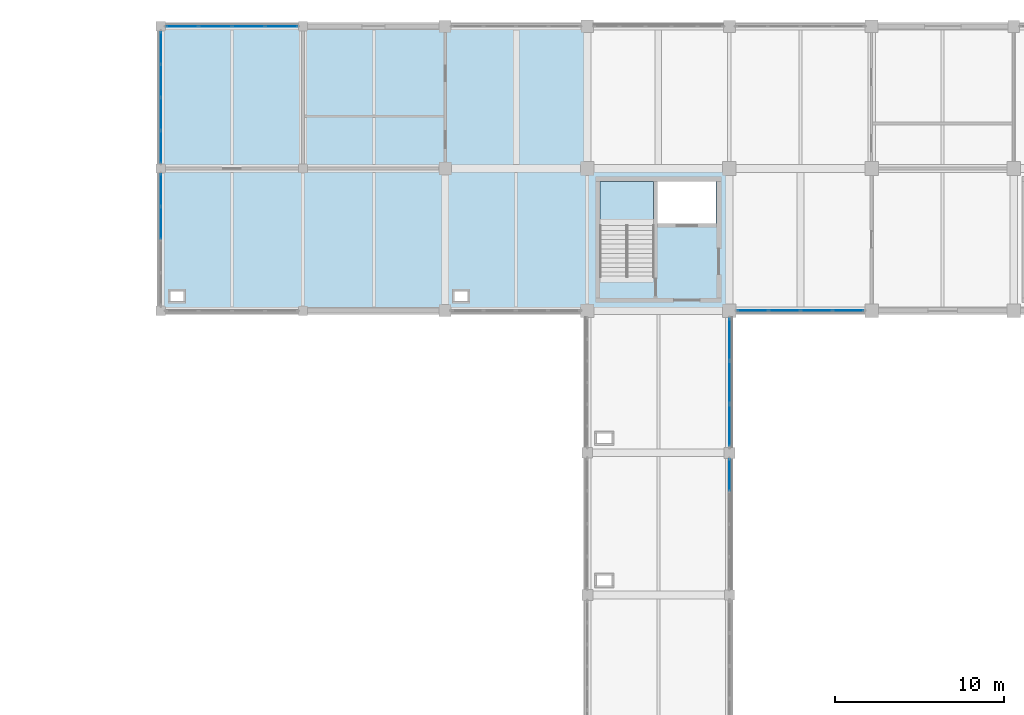
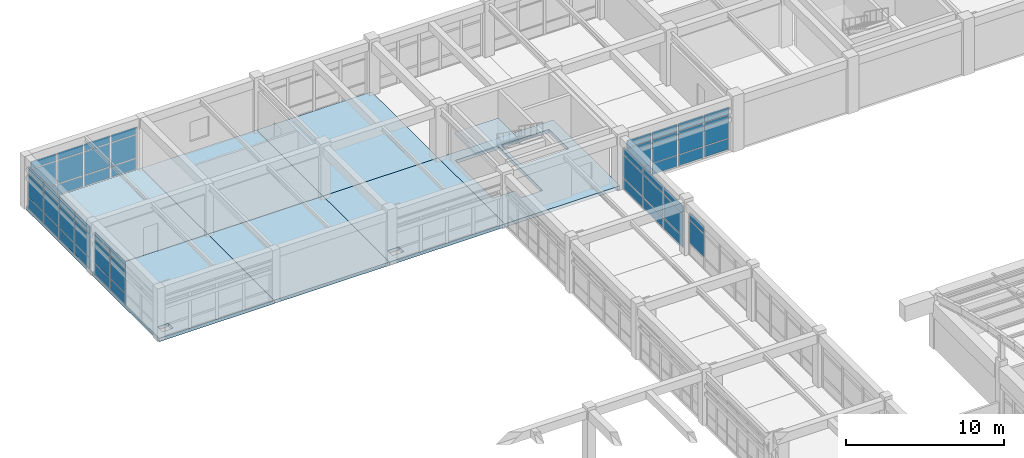
# One storey, part 53 of 74: 53 plates, 8 slabs, 7 elements without a shape of their own.
"""IFC4 building model written with IfcOpenShell, lengths in metres."""

from ifc_helpers import new_model, si_unit, direction, frame, origin, origin_2d, place, context, subcontext, project, spatial, polyline, rectangle, outline, extrude, material, layer, layer_set, type_object, element, aggregate, save


model = new_model("IFC4")

# Units and contexts
model_context = context("Model", 3, precision=1e-05, world=origin(), true_north=direction((0.0, 1.0)))
body_context = subcontext(model_context, "Body", "Model", "MODEL_VIEW")
ifc_project = project(units=[si_unit("LENGTHUNIT", "METRE"), si_unit("AREAUNIT", "SQUARE_METRE"), si_unit("VOLUMEUNIT", "CUBIC_METRE"), si_unit("PLANEANGLEUNIT", "RADIAN"), si_unit("MASSUNIT", "GRAM", prefix="KILO")], contexts=[model_context])

# Site, building, storey
site_placement = place(None, origin())
site = spatial("IfcSite", under=ifc_project, at=site_placement, CompositionType="ELEMENT")
building_placement = place(site_placement, origin())
building = spatial("IfcBuilding", under=site, at=building_placement, Name="Porcellanite Civic Hall", CompositionType="ELEMENT")
storey_placement = place(building_placement, frame((0.0, 0.0, 14.760009765625)))
storey = spatial("IfcBuildingStorey", under=building, at=storey_placement, Name="L03", CompositionType="ELEMENT", Elevation=14.760009765625)

# Curtain wall, plates
ifc_material_1 = material(Name="Anodised aluminium and solar laminated glass", Category="aluminium")
ifc_layer_1 = layer(ifc_material_1, 0.179931640625)
ifc_layer_set_1 = layer_set([ifc_layer_1], Name="Anodised aluminium and solar laminated glass")
curtain_wall_type_1 = type_object("IfcCurtainWallType", Name="CW-SYS06", PredefinedType="NOTDEFINED", material=ifc_layer_set_1)
curtain_wall_1_placement = place(storey_placement, origin())
curtain_wall_1 = element("IfcCurtainWall", 1, at=curtain_wall_1_placement, inside=storey, type_object=curtain_wall_type_1, Name="Curtain wall CW-200", PredefinedType="NOTDEFINED")
ifc_material_2 = material(Name="Cyclone laminated solar-control low-E glass", Category="glass")
ifc_layer_2 = layer(ifc_material_2, 0.02392578125)
ifc_layer_set_2 = layer_set([ifc_layer_2], Name="Cyclone laminated solar-control low-E glass")
plate_type_1 = type_object("IfcPlateType", Name="CWP-01", PredefinedType="CURTAIN_PANEL", material=ifc_layer_set_2)
plate_1_placement = place(storey_placement, frame((58.800048828125, 91.086181640625, 0.925048828125), z_axis=(0.0, 0.0, 1.0), x_axis=(0.0, -1.0, 0.0)))
plate_1 = element("IfcPlate", 2, at=plate_1_placement, type_object=plate_type_1, Name="CW-200 panel 1.2", PredefinedType="CURTAIN_PANEL", context=body_context, shape_type="SweptSolid", body=[
    extrude(rectangle(XDim=1.845703125, YDim=0.02392578125, at=origin_2d()), origin(), (0.0, 0.0, 1.0), 1.77001953125),
])
plate_2_placement = place(storey_placement, frame((58.800048828125, 91.086181640625, 2.7451171875), z_axis=(0.0, 0.0, 1.0), x_axis=(0.0, -1.0, 0.0)))
plate_2 = element("IfcPlate", 3, at=plate_2_placement, type_object=plate_type_1, Name="CW-200 panel 1.3", PredefinedType="CURTAIN_PANEL", context=body_context, shape_type="SweptSolid", body=[
    extrude(rectangle(XDim=1.845703125, YDim=0.02392578125, at=origin_2d()), origin(), (0.0, 0.0, 1.0), 0.574951171875),
])
aggregate(curtain_wall_1, [plate_1, plate_2])

ifc_material_3 = material(Name="Anodised aluminium and solar laminated glass", Category="aluminium")
ifc_layer_3 = layer(ifc_material_3, 0.179931640625)
ifc_layer_set_3 = layer_set([ifc_layer_3], Name="Anodised aluminium and solar laminated glass")
curtain_wall_type_2 = type_object("IfcCurtainWallType", Name="CW-SYS05", PredefinedType="NOTDEFINED", material=ifc_layer_set_3)
curtain_wall_2_placement = place(storey_placement, origin())
curtain_wall_2 = element("IfcCurtainWall", 4, at=curtain_wall_2_placement, inside=storey, type_object=curtain_wall_type_2, Name="Curtain wall CW-188", PredefinedType="NOTDEFINED")
ifc_material_4 = material(Name="Cyclone laminated solar-control low-E glass", Category="glass")
ifc_layer_4 = layer(ifc_material_4, 0.028076171875)
ifc_layer_set_4 = layer_set([ifc_layer_4], Name="Cyclone laminated solar-control low-E glass")
plate_type_2 = type_object("IfcPlateType", Name="CWP-03", PredefinedType="CURTAIN_PANEL", material=ifc_layer_set_4)
plate_3_placement = place(storey_placement, frame((25.199951171875, 105.98095703125, 0.06005859375), z_axis=(0.0, 0.0, 1.0), x_axis=(0.0, 1.0, 0.0)))
plate_3 = element("IfcPlate", 5, at=plate_3_placement, type_object=plate_type_2, Name="CW-188 panel 3.1", PredefinedType="CURTAIN_PANEL", context=body_context, shape_type="SweptSolid", body=[
    extrude(rectangle(XDim=1.89208984375, YDim=0.028076171875, at=origin_2d()), origin(), (0.0, 0.0, 1.0), 0.81005859375),
])
plate_4_placement = place(storey_placement, frame((25.199951171875, 105.98095703125, 0.93017578125), z_axis=(0.0, 0.0, 1.0), x_axis=(0.0, 1.0, 0.0)))
plate_4 = element("IfcPlate", 6, at=plate_4_placement, type_object=plate_type_2, Name="CW-188 panel 3.2", PredefinedType="CURTAIN_PANEL", context=body_context, shape_type="SweptSolid", body=[
    extrude(rectangle(XDim=1.89208984375, YDim=0.028076171875, at=origin_2d()), origin(), (0.0, 0.0, 1.0), 1.760009765625),
])
plate_5_placement = place(storey_placement, frame((25.199951171875, 105.98095703125, 2.75), z_axis=(0.0, 0.0, 1.0), x_axis=(0.0, 1.0, 0.0)))
plate_5 = element("IfcPlate", 7, at=plate_5_placement, type_object=plate_type_2, Name="CW-188 panel 3.3", PredefinedType="CURTAIN_PANEL", context=body_context, shape_type="SweptSolid", body=[
    extrude(rectangle(XDim=1.89208984375, YDim=0.028076171875, at=origin_2d()), origin(), (0.0, 0.0, 1.0), 0.56005859375),
])
plate_6_placement = place(storey_placement, frame((25.199951171875, 107.925537109375, 0.06005859375), z_axis=(0.0, 0.0, 1.0), x_axis=(0.0, 1.0, 0.0)))
plate_6 = element("IfcPlate", 8, at=plate_6_placement, type_object=plate_type_2, Name="CW-188 panel 4.1", PredefinedType="CURTAIN_PANEL", context=body_context, shape_type="SweptSolid", body=[
    extrude(rectangle(XDim=1.85693359375, YDim=0.028076171875, at=origin_2d()), origin(), (0.0, 0.0, 1.0), 0.81005859375),
])
plate_7_placement = place(storey_placement, frame((25.199951171875, 107.925537109375, 0.93017578125), z_axis=(0.0, 0.0, 1.0), x_axis=(0.0, 1.0, 0.0)))
plate_7 = element("IfcPlate", 9, at=plate_7_placement, type_object=plate_type_2, Name="CW-188 panel 4.2", PredefinedType="CURTAIN_PANEL", context=body_context, shape_type="SweptSolid", body=[
    extrude(rectangle(XDim=1.85693359375, YDim=0.028076171875, at=origin_2d()), origin(), (0.0, 0.0, 1.0), 1.760009765625),
])
plate_8_placement = place(storey_placement, frame((25.199951171875, 107.925537109375, 2.75), z_axis=(0.0, 0.0, 1.0), x_axis=(0.0, 1.0, 0.0)))
plate_8 = element("IfcPlate", 10, at=plate_8_placement, type_object=plate_type_2, Name="CW-188 panel 4.3", PredefinedType="CURTAIN_PANEL", context=body_context, shape_type="SweptSolid", body=[
    extrude(rectangle(XDim=1.85693359375, YDim=0.028076171875, at=origin_2d()), origin(), (0.0, 0.0, 1.0), 0.56005859375),
])
aggregate(curtain_wall_2, [plate_3, plate_4, plate_5, plate_6, plate_7, plate_8])

curtain_wall_3_placement = place(storey_placement, origin())
curtain_wall_3 = element("IfcCurtainWall", 11, at=curtain_wall_3_placement, inside=storey, type_object=curtain_wall_type_2, Name="Curtain wall CW-189", PredefinedType="NOTDEFINED")
plate_9_placement = place(storey_placement, frame((25.199951171875, 110.474609375, 0.06005859375), z_axis=(0.0, 0.0, 1.0), x_axis=(0.0, 1.0, 0.0)))
plate_9 = element("IfcPlate", 12, at=plate_9_placement, type_object=plate_type_2, Name="CW-189 panel 1.1", PredefinedType="CURTAIN_PANEL", context=body_context, shape_type="SweptSolid", body=[
    extrude(rectangle(XDim=1.85693359375, YDim=0.028076171875, at=origin_2d()), origin(), (0.0, 0.0, 1.0), 0.81005859375),
])
plate_10_placement = place(storey_placement, frame((25.199951171875, 110.474609375, 0.93017578125), z_axis=(0.0, 0.0, 1.0), x_axis=(0.0, 1.0, 0.0)))
plate_10 = element("IfcPlate", 13, at=plate_10_placement, type_object=plate_type_2, Name="CW-189 panel 1.2", PredefinedType="CURTAIN_PANEL", context=body_context, shape_type="SweptSolid", body=[
    extrude(rectangle(XDim=1.85693359375, YDim=0.028076171875, at=origin_2d()), origin(), (0.0, 0.0, 1.0), 1.760009765625),
])
plate_11_placement = place(storey_placement, frame((25.199951171875, 110.474609375, 2.75), z_axis=(0.0, 0.0, 1.0), x_axis=(0.0, 1.0, 0.0)))
plate_11 = element("IfcPlate", 14, at=plate_11_placement, type_object=plate_type_2, Name="CW-189 panel 1.3", PredefinedType="CURTAIN_PANEL", context=body_context, shape_type="SweptSolid", body=[
    extrude(rectangle(XDim=1.85693359375, YDim=0.028076171875, at=origin_2d()), origin(), (0.0, 0.0, 1.0), 0.56005859375),
])
plate_12_placement = place(storey_placement, frame((25.199951171875, 112.4189453125, 0.06005859375), z_axis=(0.0, 0.0, 1.0), x_axis=(0.0, 1.0, 0.0)))
plate_12 = element("IfcPlate", 15, at=plate_12_placement, type_object=plate_type_2, Name="CW-189 panel 2.1", PredefinedType="CURTAIN_PANEL", context=body_context, shape_type="SweptSolid", body=[
    extrude(rectangle(XDim=1.89208984375, YDim=0.028076171875, at=origin_2d()), origin(), (0.0, 0.0, 1.0), 0.81005859375),
])
plate_13_placement = place(storey_placement, frame((25.199951171875, 112.4189453125, 0.93017578125), z_axis=(0.0, 0.0, 1.0), x_axis=(0.0, 1.0, 0.0)))
plate_13 = element("IfcPlate", 16, at=plate_13_placement, type_object=plate_type_2, Name="CW-189 panel 2.2", PredefinedType="CURTAIN_PANEL", context=body_context, shape_type="SweptSolid", body=[
    extrude(rectangle(XDim=1.89208984375, YDim=0.028076171875, at=origin_2d()), origin(), (0.0, 0.0, 1.0), 1.760009765625),
])
plate_14_placement = place(storey_placement, frame((25.199951171875, 112.4189453125, 2.75), z_axis=(0.0, 0.0, 1.0), x_axis=(0.0, 1.0, 0.0)))
plate_14 = element("IfcPlate", 17, at=plate_14_placement, type_object=plate_type_2, Name="CW-189 panel 2.3", PredefinedType="CURTAIN_PANEL", context=body_context, shape_type="SweptSolid", body=[
    extrude(rectangle(XDim=1.89208984375, YDim=0.028076171875, at=origin_2d()), origin(), (0.0, 0.0, 1.0), 0.56005859375),
])
plate_15_placement = place(storey_placement, frame((25.199951171875, 114.381103515625, 0.06005859375), z_axis=(0.0, 0.0, 1.0), x_axis=(0.0, 1.0, 0.0)))
plate_15 = element("IfcPlate", 18, at=plate_15_placement, type_object=plate_type_2, Name="CW-189 panel 3.1", PredefinedType="CURTAIN_PANEL", context=body_context, shape_type="SweptSolid", body=[
    extrude(rectangle(XDim=1.89208984375, YDim=0.028076171875, at=origin_2d()), origin(), (0.0, 0.0, 1.0), 0.81005859375),
])
plate_16_placement = place(storey_placement, frame((25.199951171875, 114.381103515625, 0.93017578125), z_axis=(0.0, 0.0, 1.0), x_axis=(0.0, 1.0, 0.0)))
plate_16 = element("IfcPlate", 19, at=plate_16_placement, type_object=plate_type_2, Name="CW-189 panel 3.2", PredefinedType="CURTAIN_PANEL", context=body_context, shape_type="SweptSolid", body=[
    extrude(rectangle(XDim=1.89208984375, YDim=0.028076171875, at=origin_2d()), origin(), (0.0, 0.0, 1.0), 1.760009765625),
])
plate_17_placement = place(storey_placement, frame((25.199951171875, 114.381103515625, 2.75), z_axis=(0.0, 0.0, 1.0), x_axis=(0.0, 1.0, 0.0)))
plate_17 = element("IfcPlate", 20, at=plate_17_placement, type_object=plate_type_2, Name="CW-189 panel 3.3", PredefinedType="CURTAIN_PANEL", context=body_context, shape_type="SweptSolid", body=[
    extrude(rectangle(XDim=1.89208984375, YDim=0.028076171875, at=origin_2d()), origin(), (0.0, 0.0, 1.0), 0.56005859375),
])
plate_18_placement = place(storey_placement, frame((25.199951171875, 116.325439453125, 0.06005859375), z_axis=(0.0, 0.0, 1.0), x_axis=(0.0, 1.0, 0.0)))
plate_18 = element("IfcPlate", 21, at=plate_18_placement, type_object=plate_type_2, Name="CW-189 panel 4.1", PredefinedType="CURTAIN_PANEL", context=body_context, shape_type="SweptSolid", body=[
    extrude(rectangle(XDim=1.85693359375, YDim=0.028076171875, at=origin_2d()), origin(), (0.0, 0.0, 1.0), 0.81005859375),
])
plate_19_placement = place(storey_placement, frame((25.199951171875, 116.325439453125, 0.93017578125), z_axis=(0.0, 0.0, 1.0), x_axis=(0.0, 1.0, 0.0)))
plate_19 = element("IfcPlate", 22, at=plate_19_placement, type_object=plate_type_2, Name="CW-189 panel 4.2", PredefinedType="CURTAIN_PANEL", context=body_context, shape_type="SweptSolid", body=[
    extrude(rectangle(XDim=1.85693359375, YDim=0.028076171875, at=origin_2d()), origin(), (0.0, 0.0, 1.0), 1.760009765625),
])
plate_20_placement = place(storey_placement, frame((25.199951171875, 116.325439453125, 2.75), z_axis=(0.0, 0.0, 1.0), x_axis=(0.0, 1.0, 0.0)))
plate_20 = element("IfcPlate", 23, at=plate_20_placement, type_object=plate_type_2, Name="CW-189 panel 4.3", PredefinedType="CURTAIN_PANEL", context=body_context, shape_type="SweptSolid", body=[
    extrude(rectangle(XDim=1.85693359375, YDim=0.028076171875, at=origin_2d()), origin(), (0.0, 0.0, 1.0), 0.56005859375),
])
aggregate(curtain_wall_3, [plate_9, plate_10, plate_11, plate_12, plate_13, plate_14, plate_15, plate_16, plate_17, plate_18, plate_19, plate_20])

curtain_wall_4_placement = place(storey_placement, origin())
curtain_wall_4 = element("IfcCurtainWall", 24, at=curtain_wall_4_placement, inside=storey, type_object=curtain_wall_type_2, Name="Curtain wall CW-190", PredefinedType="NOTDEFINED")
plate_21_placement = place(storey_placement, frame((26.474609375, 117.60009765625, 0.06005859375), z_axis=(0.0, 0.0, 1.0), x_axis=(1.0, 0.0, 0.0)))
plate_21 = element("IfcPlate", 25, at=plate_21_placement, type_object=plate_type_2, Name="CW-190 panel 1.1", PredefinedType="CURTAIN_PANEL", context=body_context, shape_type="SweptSolid", body=[
    extrude(rectangle(XDim=1.85693359375, YDim=0.028076171875, at=origin_2d()), origin(), (0.0, 0.0, 1.0), 0.81005859375),
])
plate_22_placement = place(storey_placement, frame((26.474609375, 117.60009765625, 0.93017578125), z_axis=(0.0, 0.0, 1.0), x_axis=(1.0, 0.0, 0.0)))
plate_22 = element("IfcPlate", 26, at=plate_22_placement, type_object=plate_type_2, Name="CW-190 panel 1.2", PredefinedType="CURTAIN_PANEL", context=body_context, shape_type="SweptSolid", body=[
    extrude(rectangle(XDim=1.85693359375, YDim=0.028076171875, at=origin_2d()), origin(), (0.0, 0.0, 1.0), 1.760009765625),
])
plate_23_placement = place(storey_placement, frame((26.474609375, 117.60009765625, 2.75), z_axis=(0.0, 0.0, 1.0), x_axis=(1.0, 0.0, 0.0)))
plate_23 = element("IfcPlate", 27, at=plate_23_placement, type_object=plate_type_2, Name="CW-190 panel 1.3", PredefinedType="CURTAIN_PANEL", context=body_context, shape_type="SweptSolid", body=[
    extrude(rectangle(XDim=1.85693359375, YDim=0.028076171875, at=origin_2d()), origin(), (0.0, 0.0, 1.0), 0.56005859375),
])
plate_24_placement = place(storey_placement, frame((28.4189453125, 117.60009765625, 0.06005859375), z_axis=(0.0, 0.0, 1.0), x_axis=(1.0, 0.0, 0.0)))
plate_24 = element("IfcPlate", 28, at=plate_24_placement, type_object=plate_type_2, Name="CW-190 panel 2.1", PredefinedType="CURTAIN_PANEL", context=body_context, shape_type="SweptSolid", body=[
    extrude(rectangle(XDim=1.89208984375, YDim=0.028076171875, at=origin_2d()), origin(), (0.0, 0.0, 1.0), 0.81005859375),
])
plate_25_placement = place(storey_placement, frame((28.4189453125, 117.60009765625, 0.93017578125), z_axis=(0.0, 0.0, 1.0), x_axis=(1.0, 0.0, 0.0)))
plate_25 = element("IfcPlate", 29, at=plate_25_placement, type_object=plate_type_2, Name="CW-190 panel 2.2", PredefinedType="CURTAIN_PANEL", context=body_context, shape_type="SweptSolid", body=[
    extrude(rectangle(XDim=1.89208984375, YDim=0.028076171875, at=origin_2d()), origin(), (0.0, 0.0, 1.0), 1.760009765625),
])
plate_26_placement = place(storey_placement, frame((28.4189453125, 117.60009765625, 2.75), z_axis=(0.0, 0.0, 1.0), x_axis=(1.0, 0.0, 0.0)))
plate_26 = element("IfcPlate", 30, at=plate_26_placement, type_object=plate_type_2, Name="CW-190 panel 2.3", PredefinedType="CURTAIN_PANEL", context=body_context, shape_type="SweptSolid", body=[
    extrude(rectangle(XDim=1.89208984375, YDim=0.028076171875, at=origin_2d()), origin(), (0.0, 0.0, 1.0), 0.56005859375),
])
plate_27_placement = place(storey_placement, frame((30.381103515625, 117.60009765625, 0.06005859375), z_axis=(0.0, 0.0, 1.0), x_axis=(1.0, 0.0, 0.0)))
plate_27 = element("IfcPlate", 31, at=plate_27_placement, type_object=plate_type_2, Name="CW-190 panel 3.1", PredefinedType="CURTAIN_PANEL", context=body_context, shape_type="SweptSolid", body=[
    extrude(rectangle(XDim=1.89208984375, YDim=0.028076171875, at=origin_2d()), origin(), (0.0, 0.0, 1.0), 0.81005859375),
])
plate_28_placement = place(storey_placement, frame((30.381103515625, 117.60009765625, 0.93017578125), z_axis=(0.0, 0.0, 1.0), x_axis=(1.0, 0.0, 0.0)))
plate_28 = element("IfcPlate", 32, at=plate_28_placement, type_object=plate_type_2, Name="CW-190 panel 3.2", PredefinedType="CURTAIN_PANEL", context=body_context, shape_type="SweptSolid", body=[
    extrude(rectangle(XDim=1.89208984375, YDim=0.028076171875, at=origin_2d()), origin(), (0.0, 0.0, 1.0), 1.760009765625),
])
plate_29_placement = place(storey_placement, frame((30.381103515625, 117.60009765625, 2.75), z_axis=(0.0, 0.0, 1.0), x_axis=(1.0, 0.0, 0.0)))
plate_29 = element("IfcPlate", 33, at=plate_29_placement, type_object=plate_type_2, Name="CW-190 panel 3.3", PredefinedType="CURTAIN_PANEL", context=body_context, shape_type="SweptSolid", body=[
    extrude(rectangle(XDim=1.89208984375, YDim=0.028076171875, at=origin_2d()), origin(), (0.0, 0.0, 1.0), 0.56005859375),
])
plate_30_placement = place(storey_placement, frame((32.325439453125, 117.60009765625, 0.06005859375), z_axis=(0.0, 0.0, 1.0), x_axis=(1.0, 0.0, 0.0)))
plate_30 = element("IfcPlate", 34, at=plate_30_placement, type_object=plate_type_2, Name="CW-190 panel 4.1", PredefinedType="CURTAIN_PANEL", context=body_context, shape_type="SweptSolid", body=[
    extrude(rectangle(XDim=1.85693359375, YDim=0.028076171875, at=origin_2d()), origin(), (0.0, 0.0, 1.0), 0.81005859375),
])
plate_31_placement = place(storey_placement, frame((32.325439453125, 117.60009765625, 0.93017578125), z_axis=(0.0, 0.0, 1.0), x_axis=(1.0, 0.0, 0.0)))
plate_31 = element("IfcPlate", 35, at=plate_31_placement, type_object=plate_type_2, Name="CW-190 panel 4.2", PredefinedType="CURTAIN_PANEL", context=body_context, shape_type="SweptSolid", body=[
    extrude(rectangle(XDim=1.85693359375, YDim=0.028076171875, at=origin_2d()), origin(), (0.0, 0.0, 1.0), 1.760009765625),
])
plate_32_placement = place(storey_placement, frame((32.325439453125, 117.60009765625, 2.75), z_axis=(0.0, 0.0, 1.0), x_axis=(1.0, 0.0, 0.0)))
plate_32 = element("IfcPlate", 36, at=plate_32_placement, type_object=plate_type_2, Name="CW-190 panel 4.3", PredefinedType="CURTAIN_PANEL", context=body_context, shape_type="SweptSolid", body=[
    extrude(rectangle(XDim=1.85693359375, YDim=0.028076171875, at=origin_2d()), origin(), (0.0, 0.0, 1.0), 0.56005859375),
])
aggregate(curtain_wall_4, [plate_21, plate_22, plate_23, plate_24, plate_25, plate_26, plate_27, plate_28, plate_29, plate_30, plate_31, plate_32])

ifc_material_5 = material(Name="Anodised aluminium and solar laminated glass", Category="aluminium")
ifc_layer_5 = layer(ifc_material_5, 0.179931640625)
ifc_layer_set_5 = layer_set([ifc_layer_5], Name="Anodised aluminium and solar laminated glass")
curtain_wall_type_3 = type_object("IfcCurtainWallType", Name="CW-SYS08", PredefinedType="NOTDEFINED", material=ifc_layer_set_5)
curtain_wall_5_placement = place(storey_placement, origin())
curtain_wall_5 = element("IfcCurtainWall", 37, at=curtain_wall_5_placement, inside=storey, type_object=curtain_wall_type_3, Name="Curtain wall CW-202", PredefinedType="NOTDEFINED")
plate_33_placement = place(storey_placement, frame((58.800048828125, 99.10009765625, 0.070068359375), z_axis=(0.0, 0.0, 1.0), x_axis=(0.0, -1.0, 0.0)))
plate_33 = element("IfcPlate", 38, at=plate_33_placement, type_object=plate_type_2, Name="CW-202 panel 1.1", PredefinedType="CURTAIN_PANEL", context=body_context, shape_type="SweptSolid", body=[
    extrude(rectangle(XDim=2.437744140625, YDim=0.028076171875, at=origin_2d()), origin(), (0.0, 0.0, 1.0), 0.794921875),
])
plate_34_placement = place(storey_placement, frame((58.800048828125, 99.10009765625, 0.93505859375), z_axis=(0.0, 0.0, 1.0), x_axis=(0.0, -1.0, 0.0)))
plate_34 = element("IfcPlate", 39, at=plate_34_placement, type_object=plate_type_2, Name="CW-202 panel 1.2", PredefinedType="CURTAIN_PANEL", context=body_context, shape_type="SweptSolid", body=[
    extrude(rectangle(XDim=2.437744140625, YDim=0.028076171875, at=origin_2d()), origin(), (0.0, 0.0, 1.0), 1.75),
])
plate_35_placement = place(storey_placement, frame((58.800048828125, 99.10009765625, 2.755126953125), z_axis=(0.0, 0.0, 1.0), x_axis=(0.0, -1.0, 0.0)))
plate_35 = element("IfcPlate", 40, at=plate_35_placement, type_object=plate_type_2, Name="CW-202 panel 1.3", PredefinedType="CURTAIN_PANEL", context=body_context, shape_type="SweptSolid", body=[
    extrude(rectangle(XDim=2.437744140625, YDim=0.028076171875, at=origin_2d()), origin(), (0.0, 0.0, 1.0), 0.544921875),
])
plate_36_placement = place(storey_placement, frame((58.800048828125, 96.5625, 0.070068359375), z_axis=(0.0, 0.0, 1.0), x_axis=(0.0, -1.0, 0.0)))
plate_36 = element("IfcPlate", 41, at=plate_36_placement, type_object=plate_type_2, Name="CW-202 panel 2.1", PredefinedType="CURTAIN_PANEL", context=body_context, shape_type="SweptSolid", body=[
    extrude(rectangle(XDim=2.477783203125, YDim=0.028076171875, at=origin_2d()), origin(), (0.0, 0.0, 1.0), 0.794921875),
])
plate_37_placement = place(storey_placement, frame((58.800048828125, 96.5625, 0.93505859375), z_axis=(0.0, 0.0, 1.0), x_axis=(0.0, -1.0, 0.0)))
plate_37 = element("IfcPlate", 42, at=plate_37_placement, type_object=plate_type_2, Name="CW-202 panel 2.2", PredefinedType="CURTAIN_PANEL", context=body_context, shape_type="SweptSolid", body=[
    extrude(rectangle(XDim=2.477783203125, YDim=0.028076171875, at=origin_2d()), origin(), (0.0, 0.0, 1.0), 1.75),
])
plate_38_placement = place(storey_placement, frame((58.800048828125, 96.5625, 2.755126953125), z_axis=(0.0, 0.0, 1.0), x_axis=(0.0, -1.0, 0.0)))
plate_38 = element("IfcPlate", 43, at=plate_38_placement, type_object=plate_type_2, Name="CW-202 panel 2.3", PredefinedType="CURTAIN_PANEL", context=body_context, shape_type="SweptSolid", body=[
    extrude(rectangle(XDim=2.477783203125, YDim=0.028076171875, at=origin_2d()), origin(), (0.0, 0.0, 1.0), 0.544921875),
])
plate_39_placement = place(storey_placement, frame((58.800048828125, 94.02490234375, 0.070068359375), z_axis=(0.0, 0.0, 1.0), x_axis=(0.0, -1.0, 0.0)))
plate_39 = element("IfcPlate", 44, at=plate_39_placement, type_object=plate_type_2, Name="CW-202 panel 3.1", PredefinedType="CURTAIN_PANEL", context=body_context, shape_type="SweptSolid", body=[
    extrude(rectangle(XDim=2.437744140625, YDim=0.028076171875, at=origin_2d()), origin(), (0.0, 0.0, 1.0), 0.794921875),
])
plate_40_placement = place(storey_placement, frame((58.800048828125, 94.02490234375, 0.93505859375), z_axis=(0.0, 0.0, 1.0), x_axis=(0.0, -1.0, 0.0)))
plate_40 = element("IfcPlate", 45, at=plate_40_placement, type_object=plate_type_2, Name="CW-202 panel 3.2", PredefinedType="CURTAIN_PANEL", context=body_context, shape_type="SweptSolid", body=[
    extrude(rectangle(XDim=2.437744140625, YDim=0.028076171875, at=origin_2d()), origin(), (0.0, 0.0, 1.0), 1.75),
])
plate_41_placement = place(storey_placement, frame((58.800048828125, 94.02490234375, 2.755126953125), z_axis=(0.0, 0.0, 1.0), x_axis=(0.0, -1.0, 0.0)))
plate_41 = element("IfcPlate", 46, at=plate_41_placement, type_object=plate_type_2, Name="CW-202 panel 3.3", PredefinedType="CURTAIN_PANEL", context=body_context, shape_type="SweptSolid", body=[
    extrude(rectangle(XDim=2.437744140625, YDim=0.028076171875, at=origin_2d()), origin(), (0.0, 0.0, 1.0), 0.544921875),
])
aggregate(curtain_wall_5, [plate_33, plate_34, plate_35, plate_36, plate_37, plate_38, plate_39, plate_40, plate_41])

ifc_material_6 = material(Name="Anodised aluminium and solar laminated glass", Category="aluminium")
ifc_layer_6 = layer(ifc_material_6, 0.179931640625)
ifc_layer_set_6 = layer_set([ifc_layer_6], Name="Anodised aluminium and solar laminated glass")
curtain_wall_type_4 = type_object("IfcCurtainWallType", Name="CW-SYS03", PredefinedType="NOTDEFINED", material=ifc_layer_set_6)
curtain_wall_6_placement = place(storey_placement, origin())
curtain_wall_6 = element("IfcCurtainWall", 47, at=curtain_wall_6_placement, inside=storey, type_object=curtain_wall_type_4, Name="Curtain wall CW-204", PredefinedType="NOTDEFINED")
ifc_material_7 = material(Name="Cyclone laminated solar-control low-E glass", Category="glass")
ifc_layer_7 = layer(ifc_material_7, 0.031982421875)
ifc_layer_set_7 = layer_set([ifc_layer_7], Name="Cyclone laminated solar-control low-E glass")
plate_type_3 = type_object("IfcPlateType", Name="CWP-05", PredefinedType="CURTAIN_PANEL", material=ifc_layer_set_7)
plate_42_placement = place(storey_placement, frame((65.829345703125, 100.800048828125, 0.054931640625), z_axis=(0.0, 0.0, 1.0), x_axis=(-1.0, 0.0, 0.0)))
plate_42 = element("IfcPlate", 48, at=plate_42_placement, type_object=plate_type_3, Name="CW-204 panel 1.1", PredefinedType="CURTAIN_PANEL", context=body_context, shape_type="SweptSolid", body=[
    extrude(rectangle(XDim=1.779541015625, YDim=0.031982421875, at=origin_2d()), origin(), (0.0, 0.0, 1.0), 0.8173828125),
])
plate_43_placement = place(storey_placement, frame((65.829345703125, 100.800048828125, 0.927734375), z_axis=(0.0, 0.0, 1.0), x_axis=(-1.0, 0.0, 0.0)))
plate_43 = element("IfcPlate", 49, at=plate_43_placement, type_object=plate_type_3, Name="CW-204 panel 1.2", PredefinedType="CURTAIN_PANEL", context=body_context, shape_type="SweptSolid", body=[
    extrude(rectangle(XDim=1.779541015625, YDim=0.031982421875, at=origin_2d()), origin(), (0.0, 0.0, 1.0), 1.764892578125),
])
plate_44_placement = place(storey_placement, frame((65.829345703125, 100.800048828125, 2.74755859375), z_axis=(0.0, 0.0, 1.0), x_axis=(-1.0, 0.0, 0.0)))
plate_44 = element("IfcPlate", 50, at=plate_44_placement, type_object=plate_type_3, Name="CW-204 panel 1.3", PredefinedType="CURTAIN_PANEL", context=body_context, shape_type="SweptSolid", body=[
    extrude(rectangle(XDim=1.779541015625, YDim=0.031982421875, at=origin_2d()), origin(), (0.0, 0.0, 1.0), 0.5673828125),
])
plate_45_placement = place(storey_placement, frame((63.94970703125, 100.800048828125, 0.054931640625), z_axis=(0.0, 0.0, 1.0), x_axis=(-1.0, 0.0, 0.0)))
plate_45 = element("IfcPlate", 51, at=plate_45_placement, type_object=plate_type_3, Name="CW-204 panel 2.1", PredefinedType="CURTAIN_PANEL", context=body_context, shape_type="SweptSolid", body=[
    extrude(rectangle(XDim=1.819580078125, YDim=0.031982421875, at=origin_2d()), origin(), (0.0, 0.0, 1.0), 0.8173828125),
])
plate_46_placement = place(storey_placement, frame((63.94970703125, 100.800048828125, 0.927734375), z_axis=(0.0, 0.0, 1.0), x_axis=(-1.0, 0.0, 0.0)))
plate_46 = element("IfcPlate", 52, at=plate_46_placement, type_object=plate_type_3, Name="CW-204 panel 2.2", PredefinedType="CURTAIN_PANEL", context=body_context, shape_type="SweptSolid", body=[
    extrude(rectangle(XDim=1.819580078125, YDim=0.031982421875, at=origin_2d()), origin(), (0.0, 0.0, 1.0), 1.764892578125),
])
plate_47_placement = place(storey_placement, frame((63.94970703125, 100.800048828125, 2.74755859375), z_axis=(0.0, 0.0, 1.0), x_axis=(-1.0, 0.0, 0.0)))
plate_47 = element("IfcPlate", 53, at=plate_47_placement, type_object=plate_type_3, Name="CW-204 panel 2.3", PredefinedType="CURTAIN_PANEL", context=body_context, shape_type="SweptSolid", body=[
    extrude(rectangle(XDim=1.819580078125, YDim=0.031982421875, at=origin_2d()), origin(), (0.0, 0.0, 1.0), 0.5673828125),
])
plate_48_placement = place(storey_placement, frame((62.05029296875, 100.800048828125, 0.054931640625), z_axis=(0.0, 0.0, 1.0), x_axis=(-1.0, 0.0, 0.0)))
plate_48 = element("IfcPlate", 54, at=plate_48_placement, type_object=plate_type_3, Name="CW-204 panel 3.1", PredefinedType="CURTAIN_PANEL", context=body_context, shape_type="SweptSolid", body=[
    extrude(rectangle(XDim=1.819580078125, YDim=0.031982421875, at=origin_2d()), origin(), (0.0, 0.0, 1.0), 0.8173828125),
])
plate_49_placement = place(storey_placement, frame((62.05029296875, 100.800048828125, 0.927734375), z_axis=(0.0, 0.0, 1.0), x_axis=(-1.0, 0.0, 0.0)))
plate_49 = element("IfcPlate", 55, at=plate_49_placement, type_object=plate_type_3, Name="CW-204 panel 3.2", PredefinedType="CURTAIN_PANEL", context=body_context, shape_type="SweptSolid", body=[
    extrude(rectangle(XDim=1.819580078125, YDim=0.031982421875, at=origin_2d()), origin(), (0.0, 0.0, 1.0), 1.764892578125),
])
plate_50_placement = place(storey_placement, frame((62.05029296875, 100.800048828125, 2.74755859375), z_axis=(0.0, 0.0, 1.0), x_axis=(-1.0, 0.0, 0.0)))
plate_50 = element("IfcPlate", 56, at=plate_50_placement, type_object=plate_type_3, Name="CW-204 panel 3.3", PredefinedType="CURTAIN_PANEL", context=body_context, shape_type="SweptSolid", body=[
    extrude(rectangle(XDim=1.819580078125, YDim=0.031982421875, at=origin_2d()), origin(), (0.0, 0.0, 1.0), 0.5673828125),
])
plate_51_placement = place(storey_placement, frame((60.170654296875, 100.800048828125, 0.054931640625), z_axis=(0.0, 0.0, 1.0), x_axis=(-1.0, 0.0, 0.0)))
plate_51 = element("IfcPlate", 57, at=plate_51_placement, type_object=plate_type_3, Name="CW-204 panel 4.1", PredefinedType="CURTAIN_PANEL", context=body_context, shape_type="SweptSolid", body=[
    extrude(rectangle(XDim=1.779541015625, YDim=0.031982421875, at=origin_2d()), origin(), (0.0, 0.0, 1.0), 0.8173828125),
])
plate_52_placement = place(storey_placement, frame((60.170654296875, 100.800048828125, 0.927734375), z_axis=(0.0, 0.0, 1.0), x_axis=(-1.0, 0.0, 0.0)))
plate_52 = element("IfcPlate", 58, at=plate_52_placement, type_object=plate_type_3, Name="CW-204 panel 4.2", PredefinedType="CURTAIN_PANEL", context=body_context, shape_type="SweptSolid", body=[
    extrude(rectangle(XDim=1.779541015625, YDim=0.031982421875, at=origin_2d()), origin(), (0.0, 0.0, 1.0), 1.764892578125),
])
plate_53_placement = place(storey_placement, frame((60.170654296875, 100.800048828125, 2.74755859375), z_axis=(0.0, 0.0, 1.0), x_axis=(-1.0, 0.0, 0.0)))
plate_53 = element("IfcPlate", 59, at=plate_53_placement, type_object=plate_type_3, Name="CW-204 panel 4.3", PredefinedType="CURTAIN_PANEL", context=body_context, shape_type="SweptSolid", body=[
    extrude(rectangle(XDim=1.779541015625, YDim=0.031982421875, at=origin_2d()), origin(), (0.0, 0.0, 1.0), 0.5673828125),
])
aggregate(curtain_wall_6, [plate_42, plate_43, plate_44, plate_45, plate_46, plate_47, plate_48, plate_49, plate_50, plate_51, plate_52, plate_53])

# Stair, slab
ifc_material_8 = material(Name="Concrete N40 (40 MPa)", Category="concrete")
stair_type = type_object("IfcStairType", Name="STR-HT24", PredefinedType="HALF_TURN_STAIR", material=ifc_material_8)
stair_placement = place(storey_placement, origin())
stair = element("IfcStair", 60, at=stair_placement, inside=storey, type_object=stair_type, Name="Fire stair ST-03 L03", PredefinedType="HALF_TURN_STAIR")
ifc_material_9 = material(Name="Concrete N40 (40 MPa)", Category="concrete")
ifc_layer_8 = layer(ifc_material_9, 0.179931640625)
ifc_layer_set_8 = layer_set([ifc_layer_8], Name="Concrete N40 (40 MPa)")
slab_type_1 = type_object("IfcSlabType", Name="LND-18", PredefinedType="LANDING", material=ifc_layer_set_8)
slab_1_placement = place(storey_placement, frame((0.0, 0.0, 1.97998046875)))
slab_1 = element("IfcSlab", 61, at=slab_1_placement, type_object=slab_type_1, Name="ST-03 landing 1", PredefinedType="LANDING", context=body_context, shape_type="SweptSolid", body=[
    extrude(outline(polyline([(51.160400390625, 105.824951171875), (54.319580078125, 105.824951171875), (54.319580078125, 108.439453125), (51.160400390625, 108.439453125), (51.160400390625, 105.824951171875)])), origin(), (0.0, 0.0, 1.0), 0.179931640625),
])
aggregate(stair, [slab_1])

# Slabs
ifc_material_10 = material(Name="Concrete N40 (40 MPa)", Category="concrete")
ifc_layer_9 = layer(ifc_material_10, 0.25)
ifc_layer_set_9 = layer_set([ifc_layer_9], Name="Concrete N40 (40 MPa)")
slab_type_2 = type_object("IfcSlabType", Name="SL-FL250", PredefinedType="FLOOR", material=ifc_layer_set_9)
slab_2_placement = place(storey_placement, frame((0.0, 0.0, -0.25)))
element("IfcSlab", 62, at=slab_2_placement, inside=storey, type_object=slab_type_2, Name="Slab L03 bay 4-14", PredefinedType="FLOOR", context=body_context, shape_type="SweptSolid", body=[
    extrude(outline(polyline([(25.199951171875, 109.199951171875), (33.60009765625, 109.199951171875), (33.60009765625, 117.60009765625), (25.199951171875, 117.60009765625), (25.199951171875, 109.199951171875)])), origin(), (0.0, 0.0, 1.0), 0.25),
])
slab_3_placement = place(storey_placement, frame((0.0, 0.0, -0.25)))
element("IfcSlab", 63, at=slab_3_placement, inside=storey, type_object=slab_type_2, Name="Slab L03 bay 5-13", PredefinedType="FLOOR", context=body_context, shape_type="SweptSolid", body=[
    extrude(outline(polyline([(33.60009765625, 100.800048828125), (42.0, 100.800048828125), (42.0, 109.199951171875), (33.60009765625, 109.199951171875), (33.60009765625, 100.800048828125)])), origin(), (0.0, 0.0, 1.0), 0.25),
])
slab_4_placement = place(storey_placement, frame((0.0, 0.0, -0.25)))
element("IfcSlab", 64, at=slab_4_placement, inside=storey, type_object=slab_type_2, Name="Slab L03 bay 5-14", PredefinedType="FLOOR", context=body_context, shape_type="SweptSolid", body=[
    extrude(outline(polyline([(33.60009765625, 109.199951171875), (42.0, 109.199951171875), (42.0, 117.60009765625), (33.60009765625, 117.60009765625), (33.60009765625, 109.199951171875)])), origin(), (0.0, 0.0, 1.0), 0.25),
])
slab_5_placement = place(storey_placement, frame((0.0, 0.0, -0.25)))
element("IfcSlab", 65, at=slab_5_placement, inside=storey, type_object=slab_type_2, Name="Slab L03 bay 6-13", PredefinedType="FLOOR", context=body_context, shape_type="SweptSolid", body=[
    extrude(outline(polyline([(42.0, 100.800048828125), (50.39990234375, 100.800048828125), (50.39990234375, 109.199951171875), (42.0, 109.199951171875), (42.0, 100.800048828125)]), holes=[polyline([(42.550048828125, 101.35009765625), (43.35009765625, 101.35009765625), (43.35009765625, 101.949951171875), (42.550048828125, 101.949951171875), (42.550048828125, 101.35009765625)])]), origin(), (0.0, 0.0, 1.0), 0.25),
])
ifc_material_11 = material(Name="Concrete N40 (40 MPa)", Category="concrete")
ifc_layer_10 = layer(ifc_material_11, 0.260009765625)
ifc_layer_set_10 = layer_set([ifc_layer_10], Name="Concrete N40 (40 MPa)")
slab_type_3 = type_object("IfcSlabType", Name="SL-FL260", PredefinedType="FLOOR", material=ifc_layer_set_10)
slab_6_placement = place(storey_placement, frame((0.0, 0.0, -0.260009765625)))
element("IfcSlab", 66, at=slab_6_placement, inside=storey, type_object=slab_type_3, Name="Slab L03 bay 4-13", PredefinedType="FLOOR", context=body_context, shape_type="SweptSolid", body=[
    extrude(outline(polyline([(25.199951171875, 100.800048828125), (33.60009765625, 100.800048828125), (33.60009765625, 109.199951171875), (25.199951171875, 109.199951171875), (25.199951171875, 100.800048828125)]), holes=[polyline([(25.75, 101.35009765625), (26.550048828125, 101.35009765625), (26.550048828125, 101.949951171875), (25.75, 101.949951171875), (25.75, 101.35009765625)])]), origin(), (0.0, 0.0, 1.0), 0.260009765625),
])
slab_7_placement = place(storey_placement, frame((0.0, 0.0, -0.260009765625)))
element("IfcSlab", 67, at=slab_7_placement, inside=storey, type_object=slab_type_3, Name="Slab L03 bay 6-14", PredefinedType="FLOOR", context=body_context, shape_type="SweptSolid", body=[
    extrude(outline(polyline([(42.0, 109.199951171875), (50.39990234375, 109.199951171875), (50.39990234375, 117.60009765625), (42.0, 117.60009765625), (42.0, 109.199951171875)])), origin(), (0.0, 0.0, 1.0), 0.260009765625),
])
slab_8_placement = place(storey_placement, frame((0.0, 0.0, -0.260009765625)))
element("IfcSlab", 68, at=slab_8_placement, inside=storey, type_object=slab_type_3, Name="Slab L03 bay 7-13", PredefinedType="FLOOR", context=body_context, shape_type="SweptSolid", body=[
    extrude(outline(polyline([(50.39990234375, 100.800048828125), (58.800048828125, 100.800048828125), (58.800048828125, 109.199951171875), (50.39990234375, 109.199951171875), (50.39990234375, 100.800048828125)]), holes=[polyline([(51.179931640625, 103.64990234375), (52.760009765625, 103.64990234375), (52.760009765625, 102.800048828125), (54.320068359375, 102.800048828125), (54.320068359375, 108.419921875), (51.179931640625, 108.419921875), (51.179931640625, 103.64990234375)]), polyline([(54.56005859375, 105.93994140625), (58.02001953125, 105.93994140625), (58.02001953125, 108.419921875), (54.56005859375, 108.419921875), (54.56005859375, 105.93994140625)])]), origin(), (0.0, 0.0, 1.0), 0.260009765625),
])

save(model, "model.ifc")
